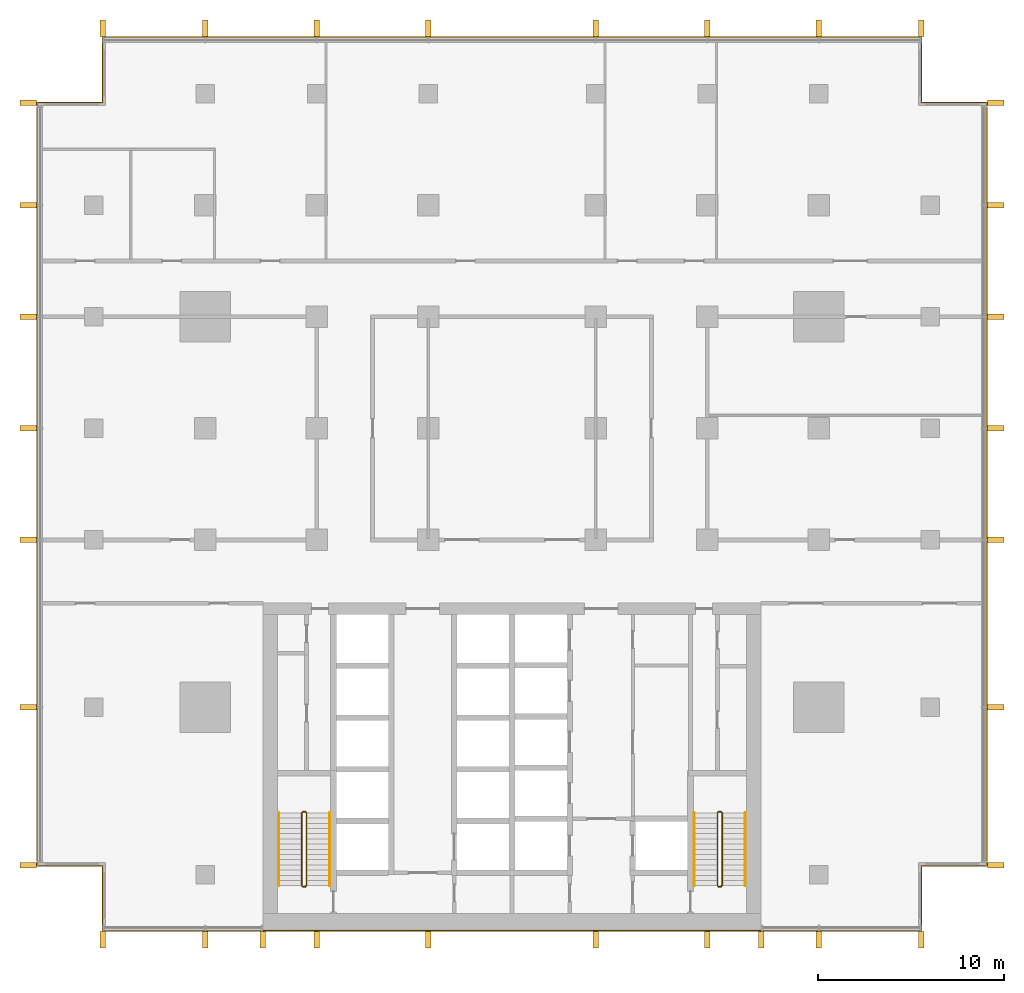
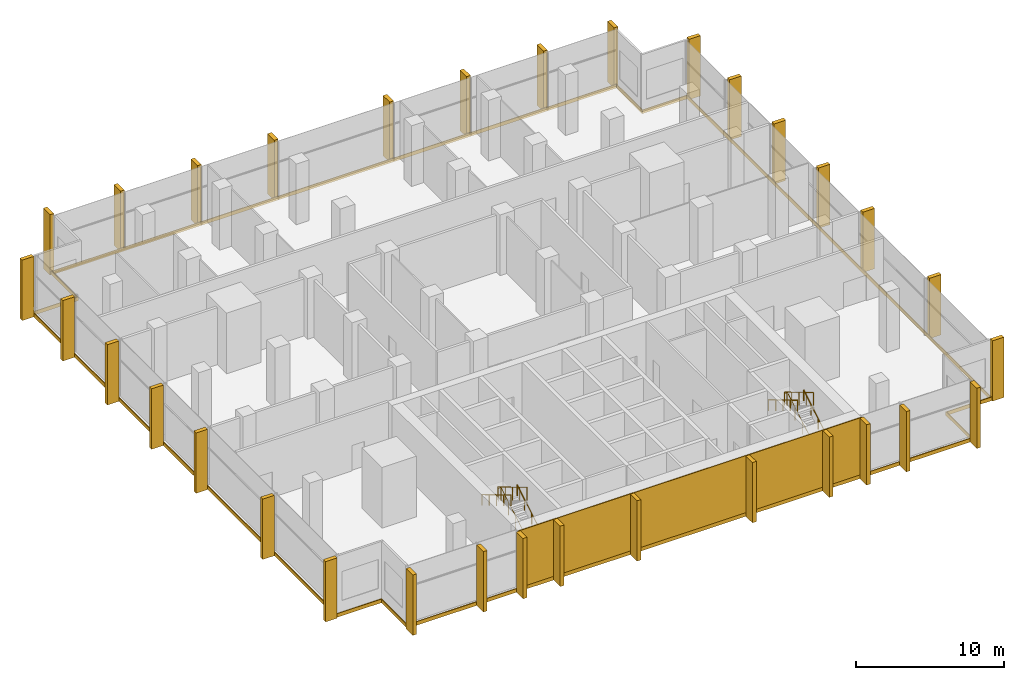
# One storey, part 14 of 14: 32 shading devices, 6 coverings, 6 railings.
"""IFC4 building model written with IfcOpenShell, lengths in metres."""

from ifc_helpers import new_model, si_unit, direction, frame, origin, origin_2d, place, context, subcontext, project, spatial, polyline, rectangle, circle, outline, extrude, material, layer, layer_set, type_object, element, save


model = new_model("IFC4")

# Units and contexts
model_context = context("Model", 3, precision=1e-05, world=origin(), true_north=direction((0.0, 1.0)))
body_context = subcontext(model_context, "Body", "Model", "MODEL_VIEW")
ifc_project = project(units=[si_unit("LENGTHUNIT", "METRE"), si_unit("AREAUNIT", "SQUARE_METRE"), si_unit("VOLUMEUNIT", "CUBIC_METRE"), si_unit("PLANEANGLEUNIT", "RADIAN"), si_unit("MASSUNIT", "GRAM", prefix="KILO")], contexts=[model_context])

# Site, building, storey
site_placement = place(None, origin())
site = spatial("IfcSite", under=ifc_project, at=site_placement, CompositionType="ELEMENT")
building_placement = place(site_placement, origin())
building = spatial("IfcBuilding", under=site, at=building_placement, Name="Finial Court Residences", CompositionType="ELEMENT")
storey_placement = place(building_placement, frame((0.0, 0.0, 133.89990234375)))
storey = spatial("IfcBuildingStorey", under=building, at=storey_placement, Name="L33", CompositionType="ELEMENT", Elevation=133.89990234375)

# Coverings
ifc_material_1 = material(Name="Natural limestone", Category="masonry")
ifc_layer_1 = layer(ifc_material_1, 0.06005859375)
ifc_layer_set_1 = layer_set([ifc_layer_1], Name="Limestone cladding to the blind core face 60")
covering_type_1 = type_object("IfcCoveringType", Name="Limestone cladding to the blind core face 60", PredefinedType="CLADDING", material=ifc_layer_set_1)
covering_1_placement = place(storey_placement, origin())
element("IfcCovering", 1, at=covering_1_placement, inside=storey, type_object=covering_type_1, Name="E-L33-CLAD1", PredefinedType="CLADDING", context=body_context, shape_type="SweptSolid", body=[
    extrude(outline(polyline([(-10.5, -25.56005859375), (-10.5, -25.5), (-13.39990234375, -25.5), (-13.39990234375, -25.56005859375), (-10.5, -25.56005859375)])), origin(), (0.0, 0.0, 1.0), 4.7001953125),
])
covering_2_placement = place(storey_placement, origin())
element("IfcCovering", 2, at=covering_2_placement, inside=storey, type_object=covering_type_1, Name="E-L33-CLAD2", PredefinedType="CLADDING", context=body_context, shape_type="SweptSolid", body=[
    extrude(outline(polyline([(-4.5, -25.56005859375), (-4.5, -25.5), (-10.5, -25.5), (-10.5, -25.56005859375), (-4.5, -25.56005859375)])), origin(), (0.0, 0.0, 1.0), 4.7001953125),
])
covering_3_placement = place(storey_placement, origin())
element("IfcCovering", 3, at=covering_3_placement, inside=storey, type_object=covering_type_1, Name="E-L33-CLAD3", PredefinedType="CLADDING", context=body_context, shape_type="SweptSolid", body=[
    extrude(outline(polyline([(4.5, -25.56005859375), (4.5, -25.5), (-4.5, -25.5), (-4.5, -25.56005859375), (4.5, -25.56005859375)])), origin(), (0.0, 0.0, 1.0), 4.7001953125),
])
covering_4_placement = place(storey_placement, origin())
element("IfcCovering", 4, at=covering_4_placement, inside=storey, type_object=covering_type_1, Name="E-L33-CLAD4", PredefinedType="CLADDING", context=body_context, shape_type="SweptSolid", body=[
    extrude(outline(polyline([(10.5, -25.56005859375), (10.5, -25.5), (4.5, -25.5), (4.5, -25.56005859375), (10.5, -25.56005859375)])), origin(), (0.0, 0.0, 1.0), 4.7001953125),
])
covering_5_placement = place(storey_placement, origin())
element("IfcCovering", 5, at=covering_5_placement, inside=storey, type_object=covering_type_1, Name="E-L33-CLAD5", PredefinedType="CLADDING", context=body_context, shape_type="SweptSolid", body=[
    extrude(outline(polyline([(13.39990234375, -25.56005859375), (13.39990234375, -25.5), (10.5, -25.5), (10.5, -25.56005859375), (13.39990234375, -25.56005859375)])), origin(), (0.0, 0.0, 1.0), 4.7001953125),
])

# Shading devices
shading_device_type = type_object("IfcShadingDeviceType", Name="Limestone fin 300 x 900", PredefinedType="USERDEFINED", material=ifc_material_1)
for number, where, z_axis, x_axis, name in (
    (6, (-22.0, 23.010009765625, -0.2998046875), (0.0, 0.0, 1.0), (1.0, 0.0, 0.0), "E-L33-FIN-N1"),
    (7, (-16.5, 23.010009765625, -0.2998046875), (0.0, 0.0, 1.0), (1.0, 0.0, 0.0), "E-L33-FIN-N2"),
    (8, (-10.5, 23.010009765625, -0.2998046875), (0.0, 0.0, 1.0), (1.0, 0.0, 0.0), "E-L33-FIN-N3"),
    (9, (-4.5, 23.010009765625, -0.2998046875), (0.0, 0.0, 1.0), (1.0, 0.0, 0.0), "E-L33-FIN-N4"),
    (10, (4.5, 23.010009765625, -0.2998046875), (0.0, 0.0, 1.0), (1.0, 0.0, 0.0), "E-L33-FIN-N5"),
    (11, (10.5, 23.010009765625, -0.2998046875), (0.0, 0.0, 1.0), (1.0, 0.0, 0.0), "E-L33-FIN-N6"),
    (12, (16.5, 23.010009765625, -0.2998046875), (0.0, 0.0, 1.0), (1.0, 0.0, 0.0), "E-L33-FIN-N7"),
    (13, (22.0, 23.010009765625, -0.2998046875), (0.0, 0.0, 1.0), (1.0, 0.0, 0.0), "E-L33-FIN-N8"),
):
    element("IfcShadingDevice", number, at=place(storey_placement, frame(where, z_axis=z_axis, x_axis=x_axis)), inside=storey, type_object=shading_device_type, Name=name, ObjectType="FIN", PredefinedType="USERDEFINED", context=body_context, shape_type="SweptSolid", body=[
        extrude(rectangle(XDim=0.300048828125, YDim=0.89990234375, at=origin_2d()), origin(), (0.0, 0.0, 1.0), 4.97998046875),
    ])
for number, where, z_axis, x_axis, name in (
    (14, (26.010009765625, -22.0, -0.2998046875), (0.0, 0.0, 1.0), (1.0, 0.0, 0.0), "E-L33-FIN-E9"),
    (15, (26.010009765625, -13.5, -0.2998046875), (0.0, 0.0, 1.0), (1.0, 0.0, 0.0), "E-L33-FIN-E10"),
    (16, (26.010009765625, -4.5, -0.2998046875), (0.0, 0.0, 1.0), (1.0, 0.0, 0.0), "E-L33-FIN-E11"),
    (17, (26.010009765625, 1.5, -0.2998046875), (0.0, 0.0, 1.0), (1.0, 0.0, 0.0), "E-L33-FIN-E12"),
    (18, (26.010009765625, 7.5, -0.2998046875), (0.0, 0.0, 1.0), (1.0, 0.0, 0.0), "E-L33-FIN-E13"),
    (19, (26.010009765625, 13.5, -0.2998046875), (0.0, 0.0, 1.0), (1.0, 0.0, 0.0), "E-L33-FIN-E14"),
    (20, (26.010009765625, 19.0, -0.2998046875), (0.0, 0.0, 1.0), (1.0, 0.0, 0.0), "E-L33-FIN-E15"),
):
    element("IfcShadingDevice", number, at=place(storey_placement, frame(where, z_axis=z_axis, x_axis=x_axis)), inside=storey, type_object=shading_device_type, Name=name, ObjectType="FIN", PredefinedType="USERDEFINED", context=body_context, shape_type="SweptSolid", body=[
        extrude(rectangle(XDim=0.89990234375, YDim=0.300048828125, at=origin_2d()), origin(), (0.0, 0.0, 1.0), 4.97998046875),
    ])
for number, where, z_axis, x_axis, name in (
    (21, (-22.0, -26.010009765625, -0.2998046875), (0.0, 0.0, 1.0), (1.0, 0.0, 0.0), "E-L33-FIN-S16"),
    (22, (-16.5, -26.010009765625, -0.2998046875), (0.0, 0.0, 1.0), (1.0, 0.0, 0.0), "E-L33-FIN-S17"),
    (23, (-13.39990234375, -26.010009765625, -0.2998046875), (0.0, 0.0, 1.0), (1.0, 0.0, 0.0), "E-L33-FIN-S18"),
    (24, (-10.5, -26.010009765625, -0.2998046875), (0.0, 0.0, 1.0), (1.0, 0.0, 0.0), "E-L33-FIN-S19"),
    (25, (-4.5, -26.010009765625, -0.2998046875), (0.0, 0.0, 1.0), (1.0, 0.0, 0.0), "E-L33-FIN-S20"),
    (26, (4.5, -26.010009765625, -0.2998046875), (0.0, 0.0, 1.0), (1.0, 0.0, 0.0), "E-L33-FIN-S21"),
    (27, (10.5, -26.010009765625, -0.2998046875), (0.0, 0.0, 1.0), (1.0, 0.0, 0.0), "E-L33-FIN-S22"),
    (28, (13.39990234375, -26.010009765625, -0.2998046875), (0.0, 0.0, 1.0), (1.0, 0.0, 0.0), "E-L33-FIN-S23"),
    (29, (16.5, -26.010009765625, -0.2998046875), (0.0, 0.0, 1.0), (1.0, 0.0, 0.0), "E-L33-FIN-S24"),
    (30, (22.0, -26.010009765625, -0.2998046875), (0.0, 0.0, 1.0), (1.0, 0.0, 0.0), "E-L33-FIN-S25"),
):
    element("IfcShadingDevice", number, at=place(storey_placement, frame(where, z_axis=z_axis, x_axis=x_axis)), inside=storey, type_object=shading_device_type, Name=name, ObjectType="FIN", PredefinedType="USERDEFINED", context=body_context, shape_type="SweptSolid", body=[
        extrude(rectangle(XDim=0.300048828125, YDim=0.89990234375, at=origin_2d()), origin(), (0.0, 0.0, 1.0), 4.97998046875),
    ])
for number, where, z_axis, x_axis, name in (
    (31, (-26.010009765625, -22.0, -0.2998046875), (0.0, 0.0, 1.0), (1.0, 0.0, 0.0), "E-L33-FIN-W26"),
    (32, (-26.010009765625, -13.5, -0.2998046875), (0.0, 0.0, 1.0), (1.0, 0.0, 0.0), "E-L33-FIN-W27"),
    (33, (-26.010009765625, -4.5, -0.2998046875), (0.0, 0.0, 1.0), (1.0, 0.0, 0.0), "E-L33-FIN-W28"),
    (34, (-26.010009765625, 1.5, -0.2998046875), (0.0, 0.0, 1.0), (1.0, 0.0, 0.0), "E-L33-FIN-W29"),
    (35, (-26.010009765625, 7.5, -0.2998046875), (0.0, 0.0, 1.0), (1.0, 0.0, 0.0), "E-L33-FIN-W30"),
    (36, (-26.010009765625, 13.5, -0.2998046875), (0.0, 0.0, 1.0), (1.0, 0.0, 0.0), "E-L33-FIN-W31"),
    (37, (-26.010009765625, 19.0, -0.2998046875), (0.0, 0.0, 1.0), (1.0, 0.0, 0.0), "E-L33-FIN-W32"),
):
    element("IfcShadingDevice", number, at=place(storey_placement, frame(where, z_axis=z_axis, x_axis=x_axis)), inside=storey, type_object=shading_device_type, Name=name, ObjectType="FIN", PredefinedType="USERDEFINED", context=body_context, shape_type="SweptSolid", body=[
        extrude(rectangle(XDim=0.89990234375, YDim=0.300048828125, at=origin_2d()), origin(), (0.0, 0.0, 1.0), 4.97998046875),
    ])

# Covering
ifc_material_2 = material(Name="Pale limestone", Category="masonry")
ifc_layer_2 = layer(ifc_material_2, 0.06005859375)
ifc_layer_set_2 = layer_set([ifc_layer_2], Name="Pale limestone slab-edge band 60")
covering_type_2 = type_object("IfcCoveringType", Name="Pale limestone slab-edge band 60", PredefinedType="CLADDING", material=ifc_layer_set_2)
covering_6_placement = place(storey_placement, frame((0.0, 0.0, -0.2998046875)))
element("IfcCovering", 38, at=covering_6_placement, inside=storey, type_object=covering_type_2, Name="E-L33-BAND1", PredefinedType="CLADDING", context=body_context, shape_type="SweptSolid", body=[
    extrude(outline(polyline([(22.06005859375, -25.56005859375), (-22.06005859375, -25.56005859375), (-22.06005859375, -22.06005859375), (-25.56005859375, -22.06005859375), (-25.56005859375, 19.06005859375), (-22.06005859375, 19.06005859375), (-22.06005859375, 22.56005859375), (22.06005859375, 22.56005859375), (22.06005859375, 19.06005859375), (25.56005859375, 19.06005859375), (25.56005859375, -22.06005859375), (22.06005859375, -22.06005859375), (22.06005859375, -25.56005859375)]), holes=[polyline([(25.5, -22.0), (25.5, 19.0), (22.0, 19.0), (22.0, 22.5), (-22.0, 22.5), (-22.0, 19.0), (-25.5, 19.0), (-25.5, -22.0), (-22.0, -22.0), (-22.0, -25.5), (22.0, -25.5), (22.0, -22.0), (25.5, -22.0)])]), origin(), (0.0, 0.0, 1.0), 0.2998046875),
])

# Railings
ifc_material_3 = material(Name="Stainless steel railing", Category="steel")
railing_type_1 = type_object("IfcRailingType", Name="Stair guard 1100", PredefinedType="GUARDRAIL", material=ifc_material_3)
railing_1_placement = place(storey_placement, frame((-11.10009765625, -23.14990234375, 0.0)))
element("IfcRailing", 39, at=railing_1_placement, inside=storey, type_object=railing_type_1, Name="L33 ST-1 stair guard 1", PredefinedType="GUARDRAIL", context=body_context, shape_type="SweptSolid", body=[
    extrude(circle(Radius=0.02392578125, at=origin_2d()), frame((0.0, 0.0, 1.076171875), z_axis=(-1.0, 0.0, 0.0), x_axis=(0.0, -1.0, 0.0)), (0.0, 0.0, 1.0), 0.14990234375),
    extrude(circle(Radius=0.02392578125, at=origin_2d()), frame((-0.14990234375, 0.0, 1.076171875), z_axis=(0.754313153044, 0.1878875253, 0.629054802844), x_axis=(-0.241699205484, 0.970351222016, 0.0)), (0.0, 0.0, 1.0), 0.26513671875),
    extrude(circle(Radius=0.02392578125, at=origin_2d()), frame((0.050048828125, 0.0498046875, 1.24267578125), z_axis=(0.0, 0.859310244771, 0.511454693235), x_axis=(-1.0, 0.0, 0.0)), (0.0, 0.0, 1.0), 4.56201171875),
    extrude(circle(Radius=0.02392578125, at=origin_2d()), frame((0.050048828125, 3.969970703125, 3.576171875), z_axis=(-0.707106781187, 0.707106781187, 0.0), x_axis=(-0.707106781187, -0.707106781187, 0.0)), (0.0, 0.0, 1.0), 0.07080078125),
    extrude(circle(Radius=0.02392578125, at=origin_2d()), frame((0.0, 4.02001953125, 3.576171875), z_axis=(-1.0, 0.0, 0.0), x_axis=(0.0, -1.0, 0.0)), (0.0, 0.0, 1.0), 0.14990234375),
    extrude(circle(Radius=0.02392578125, at=origin_2d()), frame((-0.14990234375, 4.02001953125, 3.576171875), z_axis=(-0.27628659633, -0.27628659633, 0.920506074601), x_axis=(0.707106781187, -0.707106781187, 0.0)), (0.0, 0.0, 1.0), 0.18115234375),
    extrude(circle(Radius=0.02392578125, at=origin_2d()), frame((-0.199951171875, 3.969970703125, 3.74267578125), z_axis=(0.0, -0.859310244771, 0.511454693235), x_axis=(1.0, 0.0, 0.0)), (0.0, 0.0, 1.0), 4.56201171875),
    extrude(circle(Radius=0.02099609375, at=origin_2d()), origin(), (0.0, 0.0, 1.0), 1.052001953125),
    extrude(circle(Radius=0.02099609375, at=origin_2d()), frame((-0.14990234375, 0.0, 0.0)), (0.0, 0.0, 1.0), 1.052001953125),
    extrude(circle(Radius=0.02099609375, at=origin_2d()), frame((0.050048828125, 0.0498046875, 0.166748046875)), (0.0, 0.0, 1.0), 1.052001953125),
    extrude(circle(Radius=0.02099609375, at=origin_2d()), frame((0.050048828125, 1.02978515625, 0.75)), (0.0, 0.0, 1.0), 1.052001953125),
    extrude(circle(Radius=0.02099609375, at=origin_2d()), frame((0.050048828125, 2.009765625, 1.33349609375)), (0.0, 0.0, 1.0), 1.052001953125),
    extrude(circle(Radius=0.02099609375, at=origin_2d()), frame((0.050048828125, 2.989990234375, 1.916748046875)), (0.0, 0.0, 1.0), 1.052001953125),
    extrude(circle(Radius=0.02099609375, at=origin_2d()), frame((0.050048828125, 3.969970703125, 2.5)), (0.0, 0.0, 1.0), 1.052001953125),
    extrude(circle(Radius=0.02099609375, at=origin_2d()), frame((0.0, 4.02001953125, 2.5)), (0.0, 0.0, 1.0), 1.052001953125),
    extrude(circle(Radius=0.02099609375, at=origin_2d()), frame((-0.14990234375, 4.02001953125, 2.5)), (0.0, 0.0, 1.0), 1.052001953125),
    extrude(circle(Radius=0.02099609375, at=origin_2d()), frame((-0.199951171875, 3.969970703125, 2.666748046875)), (0.0, 0.0, 1.0), 1.052001953125),
    extrude(circle(Radius=0.02099609375, at=origin_2d()), frame((-0.199951171875, 2.989990234375, 3.25)), (0.0, 0.0, 1.0), 1.052001953125),
    extrude(circle(Radius=0.02099609375, at=origin_2d()), frame((-0.199951171875, 2.009765625, 3.83349609375)), (0.0, 0.0, 1.0), 1.052001953125),
    extrude(circle(Radius=0.02099609375, at=origin_2d()), frame((-0.199951171875, 1.02978515625, 4.416748046875)), (0.0, 0.0, 1.0), 1.052001953125),
    extrude(circle(Radius=0.02099609375, at=origin_2d()), frame((-0.199951171875, 0.0498046875, 5.0)), (0.0, 0.0, 1.0), 1.052001953125),
])
railing_2_placement = place(storey_placement, frame((11.25, -23.14990234375, 0.0)))
element("IfcRailing", 40, at=railing_2_placement, inside=storey, type_object=railing_type_1, Name="L33 ST-2 stair guard 1", PredefinedType="GUARDRAIL", context=body_context, shape_type="SweptSolid", body=[
    extrude(circle(Radius=0.02392578125, at=origin_2d()), frame((0.0, 0.0, 1.076171875), z_axis=(-1.0, 0.0, 0.0), x_axis=(0.0, -1.0, 0.0)), (0.0, 0.0, 1.0), 0.14990234375),
    extrude(circle(Radius=0.02392578125, at=origin_2d()), frame((-0.14990234375, 0.0, 1.076171875), z_axis=(0.754313153044, 0.1878875253, 0.629054802844), x_axis=(-0.241699205484, 0.970351222016, 0.0)), (0.0, 0.0, 1.0), 0.26513671875),
    extrude(circle(Radius=0.02392578125, at=origin_2d()), frame((0.050048828125, 0.0498046875, 1.24267578125), z_axis=(0.0, 0.859310244771, 0.511454693235), x_axis=(-1.0, 0.0, 0.0)), (0.0, 0.0, 1.0), 4.56201171875),
    extrude(circle(Radius=0.02392578125, at=origin_2d()), frame((0.050048828125, 3.969970703125, 3.576171875), z_axis=(-0.707106781187, 0.707106781187, 0.0), x_axis=(-0.707106781187, -0.707106781187, 0.0)), (0.0, 0.0, 1.0), 0.07080078125),
    extrude(circle(Radius=0.02392578125, at=origin_2d()), frame((0.0, 4.02001953125, 3.576171875), z_axis=(-1.0, 0.0, 0.0), x_axis=(0.0, -1.0, 0.0)), (0.0, 0.0, 1.0), 0.14990234375),
    extrude(circle(Radius=0.02392578125, at=origin_2d()), frame((-0.14990234375, 4.02001953125, 3.576171875), z_axis=(-0.27628659633, -0.27628659633, 0.920506074601), x_axis=(0.707106781187, -0.707106781187, 0.0)), (0.0, 0.0, 1.0), 0.18115234375),
    extrude(circle(Radius=0.02392578125, at=origin_2d()), frame((-0.199951171875, 3.969970703125, 3.74267578125), z_axis=(0.0, -0.859310244771, 0.511454693235), x_axis=(1.0, 0.0, 0.0)), (0.0, 0.0, 1.0), 4.56201171875),
    extrude(circle(Radius=0.02099609375, at=origin_2d()), origin(), (0.0, 0.0, 1.0), 1.052001953125),
    extrude(circle(Radius=0.02099609375, at=origin_2d()), frame((-0.14990234375, 0.0, 0.0)), (0.0, 0.0, 1.0), 1.052001953125),
    extrude(circle(Radius=0.02099609375, at=origin_2d()), frame((0.050048828125, 0.0498046875, 0.166748046875)), (0.0, 0.0, 1.0), 1.052001953125),
    extrude(circle(Radius=0.02099609375, at=origin_2d()), frame((0.050048828125, 1.02978515625, 0.75)), (0.0, 0.0, 1.0), 1.052001953125),
    extrude(circle(Radius=0.02099609375, at=origin_2d()), frame((0.050048828125, 2.009765625, 1.33349609375)), (0.0, 0.0, 1.0), 1.052001953125),
    extrude(circle(Radius=0.02099609375, at=origin_2d()), frame((0.050048828125, 2.989990234375, 1.916748046875)), (0.0, 0.0, 1.0), 1.052001953125),
    extrude(circle(Radius=0.02099609375, at=origin_2d()), frame((0.050048828125, 3.969970703125, 2.5)), (0.0, 0.0, 1.0), 1.052001953125),
    extrude(circle(Radius=0.02099609375, at=origin_2d()), frame((0.0, 4.02001953125, 2.5)), (0.0, 0.0, 1.0), 1.052001953125),
    extrude(circle(Radius=0.02099609375, at=origin_2d()), frame((-0.14990234375, 4.02001953125, 2.5)), (0.0, 0.0, 1.0), 1.052001953125),
    extrude(circle(Radius=0.02099609375, at=origin_2d()), frame((-0.199951171875, 3.969970703125, 2.666748046875)), (0.0, 0.0, 1.0), 1.052001953125),
    extrude(circle(Radius=0.02099609375, at=origin_2d()), frame((-0.199951171875, 2.989990234375, 3.25)), (0.0, 0.0, 1.0), 1.052001953125),
    extrude(circle(Radius=0.02099609375, at=origin_2d()), frame((-0.199951171875, 2.009765625, 3.83349609375)), (0.0, 0.0, 1.0), 1.052001953125),
    extrude(circle(Radius=0.02099609375, at=origin_2d()), frame((-0.199951171875, 1.02978515625, 4.416748046875)), (0.0, 0.0, 1.0), 1.052001953125),
    extrude(circle(Radius=0.02099609375, at=origin_2d()), frame((-0.199951171875, 0.0498046875, 5.0)), (0.0, 0.0, 1.0), 1.052001953125),
])
railing_type_2 = type_object("IfcRailingType", Name="Stair handrail 900", PredefinedType="HANDRAIL", material=ifc_material_3)
railing_3_placement = place(storey_placement, frame((-9.800048828125, -23.10009765625, 0.166748046875)))
element("IfcRailing", 41, at=railing_3_placement, inside=storey, type_object=railing_type_2, Name="L33 ST-1 stair handrail 1", PredefinedType="HANDRAIL", context=body_context, shape_type="SweptSolid", body=[
    extrude(circle(Radius=0.02392578125, at=origin_2d()), frame((0.0, 0.0, 0.8759765625), z_axis=(0.0, 0.859310244771, 0.511454693235), x_axis=(-1.0, 0.0, 0.0)), (0.0, 0.0, 1.0), 4.56201171875),
    extrude(circle(Radius=0.02099609375, at=origin_2d()), origin(), (0.0, 0.0, 1.0), 0.851806640625),
    extrude(circle(Radius=0.02099609375, at=origin_2d()), frame((0.0, 0.97998046875, 0.583251953125)), (0.0, 0.0, 1.0), 0.851806640625),
    extrude(circle(Radius=0.02099609375, at=origin_2d()), frame((0.0, 1.9599609375, 1.16650390625)), (0.0, 0.0, 1.0), 0.851806640625),
    extrude(circle(Radius=0.02099609375, at=origin_2d()), frame((0.0, 2.940185546875, 1.75)), (0.0, 0.0, 1.0), 0.851806640625),
    extrude(circle(Radius=0.02099609375, at=origin_2d()), frame((0.0, 3.920166015625, 2.333251953125)), (0.0, 0.0, 1.0), 0.851806640625),
])
railing_4_placement = place(storey_placement, frame((-12.550048828125, -19.179931640625, 2.666748046875)))
element("IfcRailing", 42, at=railing_4_placement, inside=storey, type_object=railing_type_2, Name="L33 ST-1 stair handrail 2", PredefinedType="HANDRAIL", context=body_context, shape_type="SweptSolid", body=[
    extrude(circle(Radius=0.02392578125, at=origin_2d()), frame((0.0, 0.0, 0.8759765625), z_axis=(0.0, -0.859310244771, 0.511454693235), x_axis=(1.0, 0.0, 0.0)), (0.0, 0.0, 1.0), 4.56201171875),
    extrude(circle(Radius=0.02099609375, at=origin_2d()), origin(), (0.0, 0.0, 1.0), 0.851806640625),
    extrude(circle(Radius=0.02099609375, at=origin_2d()), frame((0.0, -0.97998046875, 0.583251953125)), (0.0, 0.0, 1.0), 0.851806640625),
    extrude(circle(Radius=0.02099609375, at=origin_2d()), frame((0.0, -1.9599609375, 1.16650390625)), (0.0, 0.0, 1.0), 0.851806640625),
    extrude(circle(Radius=0.02099609375, at=origin_2d()), frame((0.0, -2.940185546875, 1.75)), (0.0, 0.0, 1.0), 0.851806640625),
    extrude(circle(Radius=0.02099609375, at=origin_2d()), frame((0.0, -3.920166015625, 2.333251953125)), (0.0, 0.0, 1.0), 0.851806640625),
])
railing_5_placement = place(storey_placement, frame((12.550048828125, -23.10009765625, 0.166748046875)))
element("IfcRailing", 43, at=railing_5_placement, inside=storey, type_object=railing_type_2, Name="L33 ST-2 stair handrail 1", PredefinedType="HANDRAIL", context=body_context, shape_type="SweptSolid", body=[
    extrude(circle(Radius=0.02392578125, at=origin_2d()), frame((0.0, 0.0, 0.8759765625), z_axis=(0.0, 0.859310244771, 0.511454693235), x_axis=(-1.0, 0.0, 0.0)), (0.0, 0.0, 1.0), 4.56201171875),
    extrude(circle(Radius=0.02099609375, at=origin_2d()), origin(), (0.0, 0.0, 1.0), 0.851806640625),
    extrude(circle(Radius=0.02099609375, at=origin_2d()), frame((0.0, 0.97998046875, 0.583251953125)), (0.0, 0.0, 1.0), 0.851806640625),
    extrude(circle(Radius=0.02099609375, at=origin_2d()), frame((0.0, 1.9599609375, 1.16650390625)), (0.0, 0.0, 1.0), 0.851806640625),
    extrude(circle(Radius=0.02099609375, at=origin_2d()), frame((0.0, 2.940185546875, 1.75)), (0.0, 0.0, 1.0), 0.851806640625),
    extrude(circle(Radius=0.02099609375, at=origin_2d()), frame((0.0, 3.920166015625, 2.333251953125)), (0.0, 0.0, 1.0), 0.851806640625),
])
railing_6_placement = place(storey_placement, frame((9.800048828125, -19.179931640625, 2.666748046875)))
element("IfcRailing", 44, at=railing_6_placement, inside=storey, type_object=railing_type_2, Name="L33 ST-2 stair handrail 2", PredefinedType="HANDRAIL", context=body_context, shape_type="SweptSolid", body=[
    extrude(circle(Radius=0.02392578125, at=origin_2d()), frame((0.0, 0.0, 0.8759765625), z_axis=(0.0, -0.859310244771, 0.511454693235), x_axis=(1.0, 0.0, 0.0)), (0.0, 0.0, 1.0), 4.56201171875),
    extrude(circle(Radius=0.02099609375, at=origin_2d()), origin(), (0.0, 0.0, 1.0), 0.851806640625),
    extrude(circle(Radius=0.02099609375, at=origin_2d()), frame((0.0, -0.97998046875, 0.583251953125)), (0.0, 0.0, 1.0), 0.851806640625),
    extrude(circle(Radius=0.02099609375, at=origin_2d()), frame((0.0, -1.9599609375, 1.16650390625)), (0.0, 0.0, 1.0), 0.851806640625),
    extrude(circle(Radius=0.02099609375, at=origin_2d()), frame((0.0, -2.940185546875, 1.75)), (0.0, 0.0, 1.0), 0.851806640625),
    extrude(circle(Radius=0.02099609375, at=origin_2d()), frame((0.0, -3.920166015625, 2.333251953125)), (0.0, 0.0, 1.0), 0.851806640625),
])

save(model, "model.ifc")
